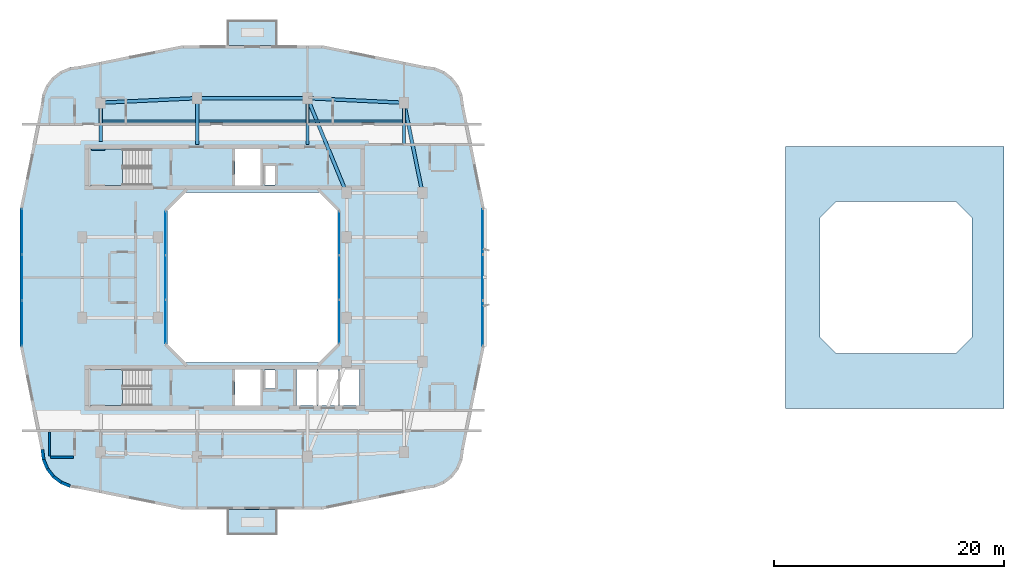
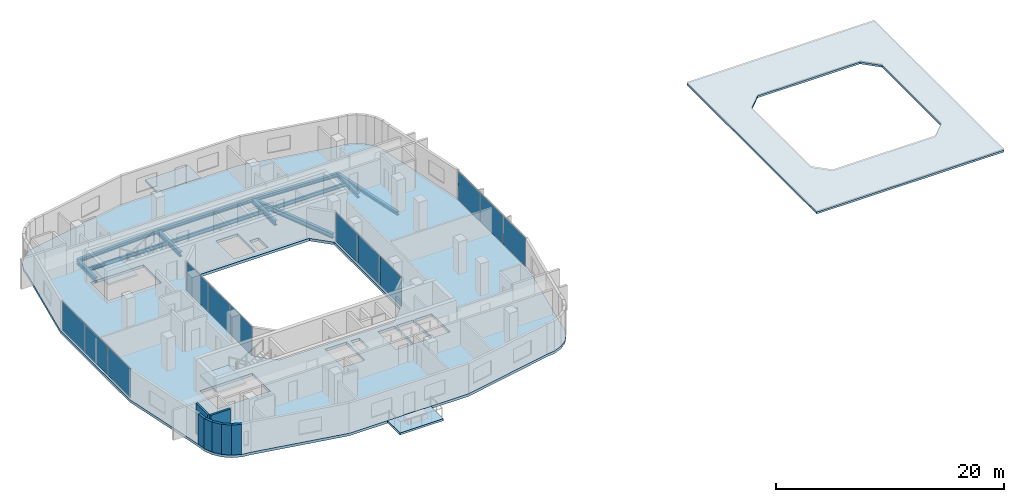
# One storey, part 4 of 13: 13 beams, 12 plates, 7 walls, 6 slabs, 6 elements without a shape of their own.
"""IFC4 building model written with IfcOpenShell, lengths in metres."""

from ifc_helpers import new_model, si_unit, derived_unit, direction, frame, frame_2d, origin, origin_2d, place, context, subcontext, project, spatial, polyline, rectangle, i_section, outline, extrude, material, layer, layer_set, material_profile, profile_set, type_object, element, aggregate, save


model = new_model("IFC4")

# Units and contexts
model_context = context("Model", 3, precision=1e-05, world=origin(), true_north=direction((0.0, 1.0)))
body_context = subcontext(model_context, "Body", "Model", "MODEL_VIEW")
ifc_project = project(units=[si_unit("LENGTHUNIT", "METRE"), si_unit("AREAUNIT", "SQUARE_METRE"), si_unit("VOLUMEUNIT", "CUBIC_METRE"), si_unit("PLANEANGLEUNIT", "RADIAN"), si_unit("MASSUNIT", "GRAM", prefix="KILO"), derived_unit("THERMALTRANSMITTANCEUNIT", [(si_unit("POWERUNIT", "WATT"), 1), (si_unit("LENGTHUNIT", "METRE"), -2), (si_unit("THERMODYNAMICTEMPERATUREUNIT", "KELVIN"), -1)])], contexts=[model_context])

# Site, building, storey
site_placement = place(None, origin())
site = spatial("IfcSite", under=ifc_project, at=site_placement, CompositionType="ELEMENT")
building_placement = place(site_placement, origin())
building = spatial("IfcBuilding", under=site, at=building_placement, Name="Kivonza Crest Hotel", CompositionType="ELEMENT")
storey_placement = place(building_placement, frame((0.0, 0.0, 134.5)))
storey = spatial("IfcBuildingStorey", under=building, at=storey_placement, Name="L36", CompositionType="ELEMENT", Elevation=134.5)

# Beams
ifc_material_1 = material(Name="Steel S355", Category="steel")
ifc_material_profile_1 = material_profile(ifc_material_1, i_section(OverallWidth=0.300048828125, OverallDepth=0.360107421875, WebThickness=0.012451171875, FlangeThickness=0.0224609375, FilletRadius=0.027099609375, at=origin_2d()), Name="HEB 360")
ifc_profile_set_1 = profile_set([ifc_material_profile_1], Name="Steel S355")
beam_type_1 = type_object("IfcBeamType", Name="BM-HEB360", PredefinedType="SPANDREL", material=ifc_profile_set_1)
beam_1_placement = place(storey_placement, frame((35.800048828125, 32.35009765625, -0.4599609375), z_axis=(-0.199730733965, 0.979850822273, 0.0), x_axis=(-0.979850822273, -0.199730733965, 0.0)))
element("IfcBeam", 1, at=beam_1_placement, inside=storey, type_object=beam_type_1, Name="Tower T1 L36 perimeter spandrel PNE-NE", PredefinedType="SPANDREL", context=body_context, shape_type="SweptSolid", body=[
    extrude(i_section(OverallWidth=0.300048828125, OverallDepth=0.360107421875, WebThickness=0.012451171875, FlangeThickness=0.0224609375, FilletRadius=0.027099609375, at=origin_2d()), origin(), (0.0, 0.0, 1.0), 8.01123046875),
])
beam_2_placement = place(storey_placement, frame((34.199951171875, 40.199951171875, -0.4599609375), z_axis=(-0.998867283688, 0.047583080799, 0.0), x_axis=(-0.047583080799, -0.998867283688, 0.0)))
element("IfcBeam", 2, at=beam_2_placement, inside=storey, type_object=beam_type_1, Name="Tower T1 L36 perimeter spandrel NE-N2", PredefinedType="SPANDREL", context=body_context, shape_type="SweptSolid", body=[
    extrude(i_section(OverallWidth=0.300048828125, OverallDepth=0.360107421875, WebThickness=0.012451171875, FlangeThickness=0.0224609375, FilletRadius=0.027099609375, at=origin_2d()), origin(), (0.0, 0.0, 1.0), 8.409423828125),
])
beam_3_placement = place(storey_placement, frame((25.800048828125, 40.60009765625, -0.4599609375), z_axis=(-1.0, 0.0, 0.0), x_axis=(0.0, -1.0, 0.0)))
element("IfcBeam", 3, at=beam_3_placement, inside=storey, type_object=beam_type_1, Name="Tower T1 L36 perimeter spandrel N2-N1", PredefinedType="SPANDREL", context=body_context, shape_type="SweptSolid", body=[
    extrude(i_section(OverallWidth=0.300048828125, OverallDepth=0.360107421875, WebThickness=0.012451171875, FlangeThickness=0.0224609375, FilletRadius=0.027099609375, at=origin_2d()), origin(), (0.0, 0.0, 1.0), 9.60009765625),
])
beam_4_placement = place(storey_placement, frame((16.199951171875, 40.60009765625, -0.4599609375), z_axis=(-0.998867283688, -0.047583080799, 0.0), x_axis=(0.047583080799, -0.998867283688, 0.0)))
element("IfcBeam", 4, at=beam_4_placement, inside=storey, type_object=beam_type_1, Name="Tower T1 L36 perimeter spandrel N1-NW", PredefinedType="SPANDREL", context=body_context, shape_type="SweptSolid", body=[
    extrude(i_section(OverallWidth=0.300048828125, OverallDepth=0.360107421875, WebThickness=0.012451171875, FlangeThickness=0.0224609375, FilletRadius=0.027099609375, at=origin_2d()), origin(), (0.0, 0.0, 1.0), 8.409423828125),
])
ifc_material_profile_2 = material_profile(ifc_material_1, i_section(OverallWidth=0.300048828125, OverallDepth=0.5, WebThickness=0.014404296875, FlangeThickness=0.028076171875, FilletRadius=0.027099609375, at=origin_2d()), Name="HEB 500")
ifc_profile_set_2 = profile_set([ifc_material_profile_2], Name="Steel S355")
beam_type_2 = type_object("IfcBeamType", Name="BM-HEB500", PredefinedType="BEAM", material=ifc_profile_set_2)
beam_5_placement = place(storey_placement, frame((25.800048828125, 40.60009765625, -0.530029296875), z_axis=(0.381022260404, -0.924565864109, 0.0), x_axis=(0.924565864109, 0.381022260404, 0.0)))
element("IfcBeam", 5, at=beam_5_placement, inside=storey, type_object=beam_type_2, Name="Tower T1 L36 primary girder N1-TNE", PredefinedType="BEAM", context=body_context, shape_type="SweptSolid", body=[
    extrude(i_section(OverallWidth=0.300048828125, OverallDepth=0.5, WebThickness=0.014404296875, FlangeThickness=0.028076171875, FilletRadius=0.027099609375, at=origin_2d()), origin(), (0.0, 0.0, 1.0), 8.923095703125),
])
beam_6_placement = place(storey_placement, frame((7.800048828125, 40.199951171875, -0.530029296875), z_axis=(0.0, -1.0, 0.0), x_axis=(1.0, 0.0, 0.0)))
element("IfcBeam", 6, at=beam_6_placement, inside=storey, type_object=beam_type_2, Name="Tower T1 L36 radial core girder RNW", PredefinedType="BEAM", context=body_context, shape_type="SweptSolid", body=[
    extrude(i_section(OverallWidth=0.300048828125, OverallDepth=0.5, WebThickness=0.014404296875, FlangeThickness=0.028076171875, FilletRadius=0.027099609375, at=origin_2d()), origin(), (0.0, 0.0, 1.0), 3.349853515625),
])
for number, where, z_axis, x_axis, name in (
    (7, (16.199951171875, 40.60009765625, -0.530029296875), (0.0, -1.0, 0.0), (1.0, 0.0, 0.0), "Tower T1 L36 radial core girder RN1"),
    (8, (25.800048828125, 40.60009765625, -0.530029296875), (0.0, -1.0, 0.0), (1.0, 0.0, 0.0), "Tower T1 L36 radial core girder RN2"),
):
    element("IfcBeam", number, at=place(storey_placement, frame(where, z_axis=z_axis, x_axis=x_axis)), inside=storey, type_object=beam_type_2, Name=name, PredefinedType="BEAM", context=body_context, shape_type="SweptSolid", body=[
        extrude(i_section(OverallWidth=0.300048828125, OverallDepth=0.5, WebThickness=0.014404296875, FlangeThickness=0.028076171875, FilletRadius=0.027099609375, at=origin_2d()), origin(), (0.0, 0.0, 1.0), 4.050048828125),
    ])
beam_7_placement = place(storey_placement, frame((34.199951171875, 40.199951171875, -0.530029296875), z_axis=(0.0, -1.0, 0.0), x_axis=(1.0, 0.0, 0.0)))
element("IfcBeam", 9, at=beam_7_placement, inside=storey, type_object=beam_type_2, Name="Tower T1 L36 radial core girder RNE", PredefinedType="BEAM", context=body_context, shape_type="SweptSolid", body=[
    extrude(i_section(OverallWidth=0.300048828125, OverallDepth=0.5, WebThickness=0.014404296875, FlangeThickness=0.028076171875, FilletRadius=0.027099609375, at=origin_2d()), origin(), (0.0, 0.0, 1.0), 3.64990234375),
])
ifc_material_profile_3 = material_profile(ifc_material_1, i_section(OverallWidth=0.179931640625, OverallDepth=0.39990234375, WebThickness=0.008544921875, FlangeThickness=0.013427734375, FilletRadius=0.02099609375, at=origin_2d()), Name="IPE 400")
ifc_profile_set_3 = profile_set([ifc_material_profile_3], Name="Steel S355")
beam_type_3 = type_object("IfcBeamType", Name="BM-IPE400", PredefinedType="JOIST", material=ifc_profile_set_3)
beam_8_placement = place(storey_placement, frame((7.8798828125, 38.60009765625, -0.47998046875), z_axis=(1.0, 0.0, 0.0), x_axis=(0.0, 1.0, 0.0)))
element("IfcBeam", 10, at=beam_8_placement, inside=storey, type_object=beam_type_3, Name="Tower T1 L36 North-West floor joist", PredefinedType="JOIST", context=body_context, shape_type="SweptSolid", body=[
    extrude(i_section(OverallWidth=0.179931640625, OverallDepth=0.39990234375, WebThickness=0.008544921875, FlangeThickness=0.013427734375, FilletRadius=0.02099609375, at=origin_2d()), origin(), (0.0, 0.0, 1.0), 8.240234375),
])
beam_9_placement = place(storey_placement, frame((16.280029296875, 38.60009765625, -0.47998046875), z_axis=(1.0, 0.0, 0.0), x_axis=(0.0, 1.0, 0.0)))
element("IfcBeam", 11, at=beam_9_placement, inside=storey, type_object=beam_type_3, Name="Tower T1 L36 North-Mid floor joist", PredefinedType="JOIST", context=body_context, shape_type="SweptSolid", body=[
    extrude(i_section(OverallWidth=0.179931640625, OverallDepth=0.39990234375, WebThickness=0.008544921875, FlangeThickness=0.013427734375, FilletRadius=0.02099609375, at=origin_2d()), origin(), (0.0, 0.0, 1.0), 9.43994140625),
])
beam_10_placement = place(storey_placement, frame((25.8798828125, 38.60009765625, -0.47998046875), z_axis=(1.0, 0.0, 0.0), x_axis=(0.0, 1.0, 0.0)))
element("IfcBeam", 12, at=beam_10_placement, inside=storey, type_object=beam_type_3, Name="Tower T1 L36 North-East floor joist", PredefinedType="JOIST", context=body_context, shape_type="SweptSolid", body=[
    extrude(i_section(OverallWidth=0.179931640625, OverallDepth=0.39990234375, WebThickness=0.008544921875, FlangeThickness=0.013427734375, FilletRadius=0.02099609375, at=origin_2d()), origin(), (0.0, 0.0, 1.0), 8.240234375),
])
ifc_material_profile_4 = material_profile(ifc_material_1, i_section(OverallWidth=0.1201171875, OverallDepth=0.239990234375, WebThickness=0.006103515625, FlangeThickness=0.009765625, FilletRadius=0.014892578125, at=origin_2d()), Name="IPE 240")
ifc_profile_set_4 = profile_set([ifc_material_profile_4], Name="Steel S355")
beam_type_4 = type_object("IfcBeamType", Name="BM-LLDG-240", PredefinedType="BEAM", material=ifc_profile_set_4)
beam_11_placement = place(storey_placement, frame((6.989990234375, 36.10009765625, 1.429931640625), z_axis=(1.0, 0.0, 0.0), x_axis=(0.0, 1.0, 0.0)))
element("IfcBeam", 13, at=beam_11_placement, inside=storey, type_object=beam_type_4, Name="Stair ST-T1-N L36 North landing corbel", PredefinedType="BEAM", context=body_context, shape_type="SweptSolid", body=[
    extrude(i_section(OverallWidth=0.1201171875, OverallDepth=0.239990234375, WebThickness=0.006103515625, FlangeThickness=0.009765625, FilletRadius=0.014892578125, at=origin_2d()), origin(), (0.0, 0.0, 1.0), 1.2099609375),
])

# Curtain wall, plates
ifc_material_2 = material(Name="Anodised bronze aluminium and low-E double glazing", Category="aluminium")
ifc_layer_1 = layer(ifc_material_2, 0.159912109375)
ifc_layer_set_1 = layer_set([ifc_layer_1], Name="Anodised bronze aluminium and low-E double glazing")
curtain_wall_type_1 = type_object("IfcCurtainWallType", Name="CW-SYS-5", PredefinedType="NOTDEFINED", material=ifc_layer_set_1)
curtain_wall_1_placement = place(storey_placement, origin())
curtain_wall_1 = element("IfcCurtainWall", 14, at=curtain_wall_1_placement, inside=storey, type_object=curtain_wall_type_1, Name="L36 unitised curtain wall CW-WELL-T1-L36-3", PredefinedType="NOTDEFINED")
ifc_material_3 = material(Name="Solar-control low-E double glazing", Category="glass")
ifc_layer_2 = layer(ifc_material_3, 0.028076171875)
ifc_layer_set_2 = layer_set([ifc_layer_2], Name="Solar-control low-E double glazing")
plate_type_1 = type_object("IfcPlateType", Name="CW-PNL-28", PredefinedType="CURTAIN_PANEL", material=ifc_layer_set_2)
plate_1_placement = place(storey_placement, frame((28.56005859375, 21.149658203125, 0.06494140625), z_axis=(0.0, 0.0, 1.0), x_axis=(0.0, 1.0, 0.0)))
plate_1 = element("IfcPlate", 15, at=plate_1_placement, type_object=plate_type_1, Name="CW-5 panel 1.1", PredefinedType="CURTAIN_PANEL", context=body_context, shape_type="SweptSolid", body=[
    extrude(rectangle(XDim=3.769287109375, YDim=0.028076171875, at=origin_2d()), origin(), (0.0, 0.0, 1.0), 3.090087890625),
])
plate_2_placement = place(storey_placement, frame((28.56005859375, 25.0, 0.06494140625), z_axis=(0.0, 0.0, 1.0), x_axis=(0.0, 1.0, 0.0)))
plate_2 = element("IfcPlate", 16, at=plate_2_placement, type_object=plate_type_1, Name="CW-5 panel 2.1", PredefinedType="CURTAIN_PANEL", context=body_context, shape_type="SweptSolid", body=[
    extrude(rectangle(XDim=3.8017578125, YDim=0.028076171875, at=origin_2d()), origin(), (0.0, 0.0, 1.0), 3.090087890625),
])
plate_3_placement = place(storey_placement, frame((28.56005859375, 28.850341796875, 0.06494140625), z_axis=(0.0, 0.0, 1.0), x_axis=(0.0, 1.0, 0.0)))
plate_3 = element("IfcPlate", 17, at=plate_3_placement, type_object=plate_type_1, Name="CW-5 panel 3.1", PredefinedType="CURTAIN_PANEL", context=body_context, shape_type="SweptSolid", body=[
    extrude(rectangle(XDim=3.769287109375, YDim=0.028076171875, at=origin_2d()), origin(), (0.0, 0.0, 1.0), 3.090087890625),
])
aggregate(curtain_wall_1, [plate_1, plate_2, plate_3])

curtain_wall_2_placement = place(storey_placement, origin())
curtain_wall_2 = element("IfcCurtainWall", 18, at=curtain_wall_2_placement, inside=storey, type_object=curtain_wall_type_1, Name="L36 unitised curtain wall CW-WELL-T1-L36-7", PredefinedType="NOTDEFINED")
plate_4_placement = place(storey_placement, frame((13.43994140625, 28.850341796875, 0.06494140625), z_axis=(0.0, 0.0, 1.0), x_axis=(0.0, -1.0, 0.0)))
plate_4 = element("IfcPlate", 19, at=plate_4_placement, type_object=plate_type_1, Name="CW-5 panel 1.1", PredefinedType="CURTAIN_PANEL", context=body_context, shape_type="SweptSolid", body=[
    extrude(rectangle(XDim=3.769287109375, YDim=0.028076171875, at=origin_2d()), origin(), (0.0, 0.0, 1.0), 3.090087890625),
])
plate_5_placement = place(storey_placement, frame((13.43994140625, 25.0, 0.06494140625), z_axis=(0.0, 0.0, 1.0), x_axis=(0.0, -1.0, 0.0)))
plate_5 = element("IfcPlate", 20, at=plate_5_placement, type_object=plate_type_1, Name="CW-5 panel 2.1", PredefinedType="CURTAIN_PANEL", context=body_context, shape_type="SweptSolid", body=[
    extrude(rectangle(XDim=3.8017578125, YDim=0.028076171875, at=origin_2d()), origin(), (0.0, 0.0, 1.0), 3.090087890625),
])
plate_6_placement = place(storey_placement, frame((13.43994140625, 21.149658203125, 0.06494140625), z_axis=(0.0, 0.0, 1.0), x_axis=(0.0, -1.0, 0.0)))
plate_6 = element("IfcPlate", 21, at=plate_6_placement, type_object=plate_type_1, Name="CW-5 panel 3.1", PredefinedType="CURTAIN_PANEL", context=body_context, shape_type="SweptSolid", body=[
    extrude(rectangle(XDim=3.769287109375, YDim=0.028076171875, at=origin_2d()), origin(), (0.0, 0.0, 1.0), 3.090087890625),
])
aggregate(curtain_wall_2, [plate_4, plate_5, plate_6])

ifc_layer_3 = layer(ifc_material_2, 0.179931640625)
ifc_layer_set_3 = layer_set([ifc_layer_3], Name="Anodised bronze aluminium and low-E double glazing")
curtain_wall_type_2 = type_object("IfcCurtainWallType", Name="CW-SYS-3", PredefinedType="NOTDEFINED", material=ifc_layer_set_3)
curtain_wall_3_placement = place(storey_placement, origin())
curtain_wall_3 = element("IfcCurtainWall", 22, at=curtain_wall_3_placement, inside=storey, type_object=curtain_wall_type_2, Name="L36 unitised curtain wall CW-T1-L36-17", PredefinedType="NOTDEFINED")
ifc_material_4 = material(Name="Acoustic triple-laminated low-E glazing", Category="glass")
ifc_layer_4 = layer(ifc_material_4, 0.035888671875)
ifc_layer_set_4 = layer_set([ifc_layer_4], Name="Acoustic triple-laminated low-E glazing")
plate_type_2 = type_object("IfcPlateType", Name="CW-PNL-36", PredefinedType="CURTAIN_PANEL", material=ifc_layer_set_4)
plate_7_placement = place(storey_placement, frame((41.0400390625, 21.00537109375, 0.0751953125), z_axis=(0.0, 0.0, 1.0), x_axis=(0.0, 1.0, 0.0)))
plate_7 = element("IfcPlate", 23, at=plate_7_placement, type_object=plate_type_2, Name="CW-3 panel 1.1", PredefinedType="CURTAIN_PANEL", context=body_context, shape_type="SweptSolid", body=[
    extrude(rectangle(XDim=3.90087890625, YDim=0.035888671875, at=origin_2d()), origin(), (0.0, 0.0, 1.0), 3.070068359375),
])
plate_8_placement = place(storey_placement, frame((41.0400390625, 25.0, 0.0751953125), z_axis=(0.0, 0.0, 1.0), x_axis=(0.0, 1.0, 0.0)))
plate_8 = element("IfcPlate", 24, at=plate_8_placement, type_object=plate_type_2, Name="CW-3 panel 2.1", PredefinedType="CURTAIN_PANEL", context=body_context, shape_type="SweptSolid", body=[
    extrude(rectangle(XDim=3.938232421875, YDim=0.035888671875, at=origin_2d()), origin(), (0.0, 0.0, 1.0), 3.070068359375),
])
plate_9_placement = place(storey_placement, frame((41.0400390625, 28.99462890625, 0.0751953125), z_axis=(0.0, 0.0, 1.0), x_axis=(0.0, 1.0, 0.0)))
plate_9 = element("IfcPlate", 25, at=plate_9_placement, type_object=plate_type_2, Name="CW-3 panel 3.1", PredefinedType="CURTAIN_PANEL", context=body_context, shape_type="SweptSolid", body=[
    extrude(rectangle(XDim=3.90087890625, YDim=0.035888671875, at=origin_2d()), origin(), (0.0, 0.0, 1.0), 3.070068359375),
])
aggregate(curtain_wall_3, [plate_7, plate_8, plate_9])

curtain_wall_4_placement = place(storey_placement, origin())
curtain_wall_4 = element("IfcCurtainWall", 26, at=curtain_wall_4_placement, inside=storey, type_object=curtain_wall_type_2, Name="L36 unitised curtain wall CW-T1-L36-35", PredefinedType="NOTDEFINED")
plate_10_placement = place(storey_placement, frame((0.9599609375, 28.99462890625, 0.0751953125), z_axis=(0.0, 0.0, 1.0), x_axis=(0.0, -1.0, 0.0)))
plate_10 = element("IfcPlate", 27, at=plate_10_placement, type_object=plate_type_2, Name="CW-3 panel 1.1", PredefinedType="CURTAIN_PANEL", context=body_context, shape_type="SweptSolid", body=[
    extrude(rectangle(XDim=3.90087890625, YDim=0.035888671875, at=origin_2d()), origin(), (0.0, 0.0, 1.0), 3.070068359375),
])
plate_11_placement = place(storey_placement, frame((0.9599609375, 25.0, 0.0751953125), z_axis=(0.0, 0.0, 1.0), x_axis=(0.0, -1.0, 0.0)))
plate_11 = element("IfcPlate", 28, at=plate_11_placement, type_object=plate_type_2, Name="CW-3 panel 2.1", PredefinedType="CURTAIN_PANEL", context=body_context, shape_type="SweptSolid", body=[
    extrude(rectangle(XDim=3.938232421875, YDim=0.035888671875, at=origin_2d()), origin(), (0.0, 0.0, 1.0), 3.070068359375),
])
plate_12_placement = place(storey_placement, frame((0.9599609375, 21.00537109375, 0.0751953125), z_axis=(0.0, 0.0, 1.0), x_axis=(0.0, -1.0, 0.0)))
plate_12 = element("IfcPlate", 29, at=plate_12_placement, type_object=plate_type_2, Name="CW-3 panel 3.1", PredefinedType="CURTAIN_PANEL", context=body_context, shape_type="SweptSolid", body=[
    extrude(rectangle(XDim=3.90087890625, YDim=0.035888671875, at=origin_2d()), origin(), (0.0, 0.0, 1.0), 3.070068359375),
])
aggregate(curtain_wall_4, [plate_10, plate_11, plate_12])

# Slab
ifc_material_5 = material(Name="Concrete C40/50", Category="concrete")
ifc_layer_5 = layer(ifc_material_5, 0.280029296875)
ifc_layer_set_5 = layer_set([ifc_layer_5], Name="Concrete C40/50")
slab_type_1 = type_object("IfcSlabType", Name="SL-HTL-280", PredefinedType="FLOOR", material=ifc_layer_set_5)
slab_1_placement = place(storey_placement, frame((0.0, 0.0, -0.280029296875)))
element("IfcSlab", 30, at=slab_1_placement, inside=storey, type_object=slab_type_1, Name="Tower T1 L36 floor slab", PredefinedType="FLOOR", context=body_context, shape_type="SweptSolid", body=[
    extrude(outline(polyline([(2.60009765625, 10.0), (2.716064453125, 9.1201171875), (3.055908203125, 8.300048828125), (3.595947265625, 7.595947265625), (4.300048828125, 7.055908203125), (5.1201171875, 6.716064453125), (6.0, 6.60009765625), (14.93994140625, 4.800048828125), (27.06005859375, 4.800048828125), (36.0, 6.60009765625), (36.8798828125, 6.716064453125), (37.699951171875, 7.055908203125), (38.404052734375, 7.595947265625), (38.944091796875, 8.300048828125), (39.283935546875, 9.1201171875), (39.39990234375, 10.0), (41.199951171875, 18.93994140625), (41.199951171875, 31.06005859375), (39.39990234375, 40.0), (39.283935546875, 40.8798828125), (38.944091796875, 41.699951171875), (38.404052734375, 42.404052734375), (37.699951171875, 42.944091796875), (36.8798828125, 43.283935546875), (36.0, 43.39990234375), (27.06005859375, 45.199951171875), (14.93994140625, 45.199951171875), (6.0, 43.39990234375), (5.1201171875, 43.283935546875), (4.300048828125, 42.944091796875), (3.595947265625, 42.404052734375), (3.055908203125, 41.699951171875), (2.716064453125, 40.8798828125), (2.60009765625, 40.0), (0.800048828125, 31.06005859375), (0.800048828125, 18.93994140625), (2.60009765625, 10.0)]), holes=[polyline([(15.199951171875, 17.60009765625), (26.800048828125, 17.60009765625), (28.39990234375, 19.199951171875), (28.39990234375, 30.800048828125), (26.800048828125, 32.39990234375), (15.199951171875, 32.39990234375), (13.60009765625, 30.800048828125), (13.60009765625, 19.199951171875), (15.199951171875, 17.60009765625)]), polyline([(6.800048828125, 33.02001953125), (12.159912109375, 33.02001953125), (12.159912109375, 36.159912109375), (6.800048828125, 36.159912109375), (6.800048828125, 33.02001953125)]), polyline([(6.800048828125, 13.860107421875), (12.159912109375, 13.860107421875), (12.159912109375, 17.0), (6.800048828125, 17.0), (6.800048828125, 13.860107421875)]), polyline([(22.080078125, 33.0400390625), (22.969970703125, 33.0400390625), (22.969970703125, 34.679931640625), (22.080078125, 34.679931640625), (22.080078125, 33.0400390625)]), polyline([(22.080078125, 15.320068359375), (22.969970703125, 15.320068359375), (22.969970703125, 16.9599609375), (22.080078125, 16.9599609375), (22.080078125, 15.320068359375)]), polyline([(19.5, 33.0), (21.699951171875, 33.0), (21.699951171875, 36.159912109375), (19.5, 36.159912109375), (19.5, 33.0)]), polyline([(19.5, 13.840087890625), (21.699951171875, 13.840087890625), (21.699951171875, 17.0), (19.5, 17.0), (19.5, 13.840087890625)]), polyline([(24.860107421875, 13.840087890625), (26.60693359375, 13.840087890625), (26.60693359375, 17.0), (24.860107421875, 17.0), (24.860107421875, 13.840087890625)]), polyline([(26.72705078125, 13.840087890625), (28.472900390625, 13.840087890625), (28.472900390625, 17.0), (26.72705078125, 17.0), (26.72705078125, 13.840087890625)]), polyline([(28.593017578125, 13.840087890625), (30.340087890625, 13.840087890625), (30.340087890625, 17.0), (28.593017578125, 17.0), (28.593017578125, 13.840087890625)])]), origin(), (0.0, 0.0, 1.0), 0.280029296875),
])

# Stair, slab
stair_type = type_object("IfcStairType", Name="ST-DL-20R", PredefinedType="HALF_TURN_STAIR", material=ifc_material_5)
stair_1_placement = place(storey_placement, origin())
stair_1 = element("IfcStair", 31, at=stair_1_placement, inside=storey, type_object=stair_type, Name="L36 Protected Exit Stair ST-T1-N", PredefinedType="HALF_TURN_STAIR")
ifc_layer_6 = layer(ifc_material_5, 0.199951171875)
ifc_layer_set_6 = layer_set([ifc_layer_6], Name="Concrete C40/50")
slab_type_2 = type_object("IfcSlabType", Name="SL-LAND-200", PredefinedType="LANDING", material=ifc_layer_set_6)
slab_2_placement = place(storey_placement, frame((0.0, 0.0, 1.550048828125)))
slab_2 = element("IfcSlab", 32, at=slab_2_placement, type_object=slab_type_2, Name="ST-T1-N landing 1", PredefinedType="LANDING", context=body_context, shape_type="SweptSolid", body=[
    extrude(outline(polyline([(9.719970703125, 36.159912109375), (6.800048828125, 36.159912109375), (6.800048828125, 33.02001953125), (9.719970703125, 33.02001953125), (9.719970703125, 36.159912109375)])), origin(), (0.0, 0.0, 1.0), 0.199951171875),
])
aggregate(stair_1, [slab_2])

stair_2_placement = place(storey_placement, origin())
stair_2 = element("IfcStair", 33, at=stair_2_placement, inside=storey, type_object=stair_type, Name="L36 Protected Exit Stair ST-T1-S", PredefinedType="HALF_TURN_STAIR")
slab_3_placement = place(storey_placement, frame((0.0, 0.0, 1.550048828125)))
slab_3 = element("IfcSlab", 34, at=slab_3_placement, type_object=slab_type_2, Name="ST-T1-S landing 1", PredefinedType="LANDING", context=body_context, shape_type="SweptSolid", body=[
    extrude(outline(polyline([(9.719970703125, 17.0), (6.800048828125, 17.0), (6.800048828125, 13.860107421875), (9.719970703125, 13.860107421875), (9.719970703125, 17.0)])), origin(), (0.0, 0.0, 1.0), 0.199951171875),
])
aggregate(stair_2, [slab_3])

# Slabs
ifc_layer_7 = layer(ifc_material_5, 0.2099609375)
ifc_layer_set_7 = layer_set([ifc_layer_7], Name="Concrete C40/50")
slab_type_3 = type_object("IfcSlabType", Name="SL-PAV-210", PredefinedType="ROOF", material=ifc_layer_set_7)
slab_4_placement = place(storey_placement, frame((0.0, 0.0, -0.2099609375)))
element("IfcSlab", 35, at=slab_4_placement, inside=storey, type_object=slab_type_3, Name="Companion Tower T2 rooftop pavilion roof slab", PredefinedType="ROOF", context=body_context, shape_type="SweptSolid", body=[
    extrude(outline(polyline([(67.39990234375, 13.60009765625), (86.39990234375, 13.60009765625), (86.39990234375, 36.39990234375), (67.39990234375, 36.39990234375), (67.39990234375, 13.60009765625)]), holes=[polyline([(71.800048828125, 18.39990234375), (82.199951171875, 18.39990234375), (83.60009765625, 19.800048828125), (83.60009765625, 30.199951171875), (82.199951171875, 31.60009765625), (71.800048828125, 31.60009765625), (70.39990234375, 30.199951171875), (70.39990234375, 19.800048828125), (71.800048828125, 18.39990234375)])]), origin(), (0.0, 0.0, 1.0), 0.2099609375),
])
ifc_layer_8 = layer(ifc_material_5, 0.219970703125)
ifc_layer_set_8 = layer_set([ifc_layer_8], Name="Concrete C40/50")
slab_type_4 = type_object("IfcSlabType", Name="SL-SKYG-220", PredefinedType="FLOOR", material=ifc_layer_set_8)
slab_5_placement = place(storey_placement, frame((0.0, 0.0, -0.219970703125)))
element("IfcSlab", 36, at=slab_5_placement, inside=storey, type_object=slab_type_4, Name="Tower T1 L36 SW planted sky-garden bridge", PredefinedType="FLOOR", context=body_context, shape_type="SweptSolid", body=[
    extrude(outline(polyline([(18.800048828125, 2.60009765625), (23.199951171875, 2.60009765625), (23.199951171875, 4.800048828125), (18.800048828125, 4.800048828125), (18.800048828125, 2.60009765625)])), origin(), (0.0, 0.0, 1.0), 0.219970703125),
])
slab_6_placement = place(storey_placement, frame((0.0, 0.0, -0.219970703125)))
element("IfcSlab", 37, at=slab_6_placement, inside=storey, type_object=slab_type_4, Name="Tower T1 L36 NE planted sky-garden bridge", PredefinedType="FLOOR", context=body_context, shape_type="SweptSolid", body=[
    extrude(outline(polyline([(18.800048828125, 45.199951171875), (23.199951171875, 45.199951171875), (23.199951171875, 47.39990234375), (18.800048828125, 47.39990234375), (18.800048828125, 45.199951171875)])), origin(), (0.0, 0.0, 1.0), 0.219970703125),
])

# Walls
ifc_material_6 = material(Name="Precast concrete C40/50", Category="concrete")
ifc_layer_9 = layer(ifc_material_6, 0.260009765625)
ifc_layer_set_9 = layer_set([ifc_layer_9], Name="Precast concrete C40/50")
wall_type_1 = type_object("IfcWallType", Name="WL-EXT-260", PredefinedType="STANDARD", material=ifc_layer_set_9)
wall_1_placement = place(storey_placement, frame((2.72802734375, 10.02490234375, 0.0), z_axis=(0.0, 0.0, 1.0), x_axis=(0.130953706898, -0.991388484223, 0.0)))
element("IfcWall", 38, at=wall_1_placement, inside=storey, type_object=wall_type_1, Name="L36 T1 exterior insulated wall 1", PredefinedType="STANDARD", context=body_context, shape_type="SweptSolid", body=[
    extrude(rectangle(XDim=0.885498046875, YDim=0.260009765625, at=frame_2d((0.44287109375, 0.0))), origin(), (0.0, 0.0, 1.0), 3.219970703125),
])
wall_2_placement = place(storey_placement, frame((2.825927734375, 9.193115234375, 0.0), z_axis=(0.0, 0.0, 1.0), x_axis=(0.383290660547, -0.923627776508, 0.0)))
element("IfcWall", 39, at=wall_2_placement, inside=storey, type_object=wall_type_1, Name="L36 T1 exterior insulated wall 2", PredefinedType="STANDARD", context=body_context, shape_type="SweptSolid", body=[
    extrude(rectangle(XDim=0.9033203125, YDim=0.260009765625, at=frame_2d((0.45166015625, 0.0))), origin(), (0.0, 0.0, 1.0), 3.219970703125),
])
wall_3_placement = place(storey_placement, frame((3.14404296875, 8.39892578125, 0.0), z_axis=(0.0, 0.0, 1.0), x_axis=(0.608624690463, -0.793458244748, 0.0)))
element("IfcWall", 40, at=wall_3_placement, inside=storey, type_object=wall_type_1, Name="L36 T1 exterior insulated wall 3", PredefinedType="STANDARD", context=body_context, shape_type="SweptSolid", body=[
    extrude(rectangle(XDim=0.902099609375, YDim=0.260009765625, at=frame_2d((0.451171875, 0.0))), origin(), (0.0, 0.0, 1.0), 3.219970703125),
])
wall_4_placement = place(storey_placement, frame((3.655029296875, 7.714111328125, 0.0), z_axis=(0.0, 0.0, 1.0), x_axis=(0.793558456666, -0.608494022858, 0.0)))
element("IfcWall", 41, at=wall_4_placement, inside=storey, type_object=wall_type_1, Name="L36 T1 exterior insulated wall 4", PredefinedType="STANDARD", context=body_context, shape_type="SweptSolid", body=[
    extrude(rectangle(XDim=0.90234375, YDim=0.260009765625, at=frame_2d((0.451171875, 0.0))), origin(), (0.0, 0.0, 1.0), 3.219970703125),
])
wall_5_placement = place(storey_placement, frame((4.326904296875, 7.18603515625, 0.0), z_axis=(0.0, 0.0, 1.0), x_axis=(0.923683767999, -0.383155708213, 0.0)))
element("IfcWall", 42, at=wall_5_placement, inside=storey, type_object=wall_type_1, Name="L36 T1 exterior insulated wall 5", PredefinedType="STANDARD", context=body_context, shape_type="SweptSolid", body=[
    extrude(rectangle(XDim=0.90283203125, YDim=0.260009765625, at=frame_2d((0.451416015625, 0.0))), origin(), (0.0, 0.0, 1.0), 3.219970703125),
])
ifc_material_7 = material(Name="Moisture-resistant plumbing chase partition wall", Category="gypsum")
ifc_layer_10 = layer(ifc_material_7, 0.199951171875)
ifc_layer_set_10 = layer_set([ifc_layer_10], Name="Moisture-resistant plumbing chase partition wall")
wall_type_2 = type_object("IfcWallType", Name="WL-PLUMB-200", PredefinedType="PLUMBINGWALL", material=ifc_layer_set_10)
wall_6_placement = place(storey_placement, frame((3.449951171875, 9.35009765625, 0.0), z_axis=(0.0, 0.0, 1.0), x_axis=(1.0, 0.0, 0.0)))
element("IfcWall", 43, at=wall_6_placement, inside=storey, type_object=wall_type_2, Name="L36 interior partition WW-L36-S04-BH", PredefinedType="PLUMBINGWALL", context=body_context, shape_type="SweptSolid", body=[
    extrude(rectangle(XDim=2.0, YDim=0.199951171875, at=frame_2d((1.0, 0.0))), origin(), (0.0, 0.0, 1.0), 3.219970703125),
])
wall_7_placement = place(storey_placement, frame((3.35009765625, 9.449951171875, 0.0), z_axis=(0.0, 0.0, 1.0), x_axis=(0.0, 1.0, 0.0)))
element("IfcWall", 44, at=wall_7_placement, inside=storey, type_object=wall_type_2, Name="L36 interior partition WW-L36-S04-BVW", PredefinedType="PLUMBINGWALL", context=body_context, shape_type="SweptSolid", body=[
    extrude(rectangle(XDim=2.10009765625, YDim=0.199951171875, at=frame_2d((1.050048828125, 0.0))), origin(), (0.0, 0.0, 1.0), 3.219970703125),
])

save(model, "model.ifc")
